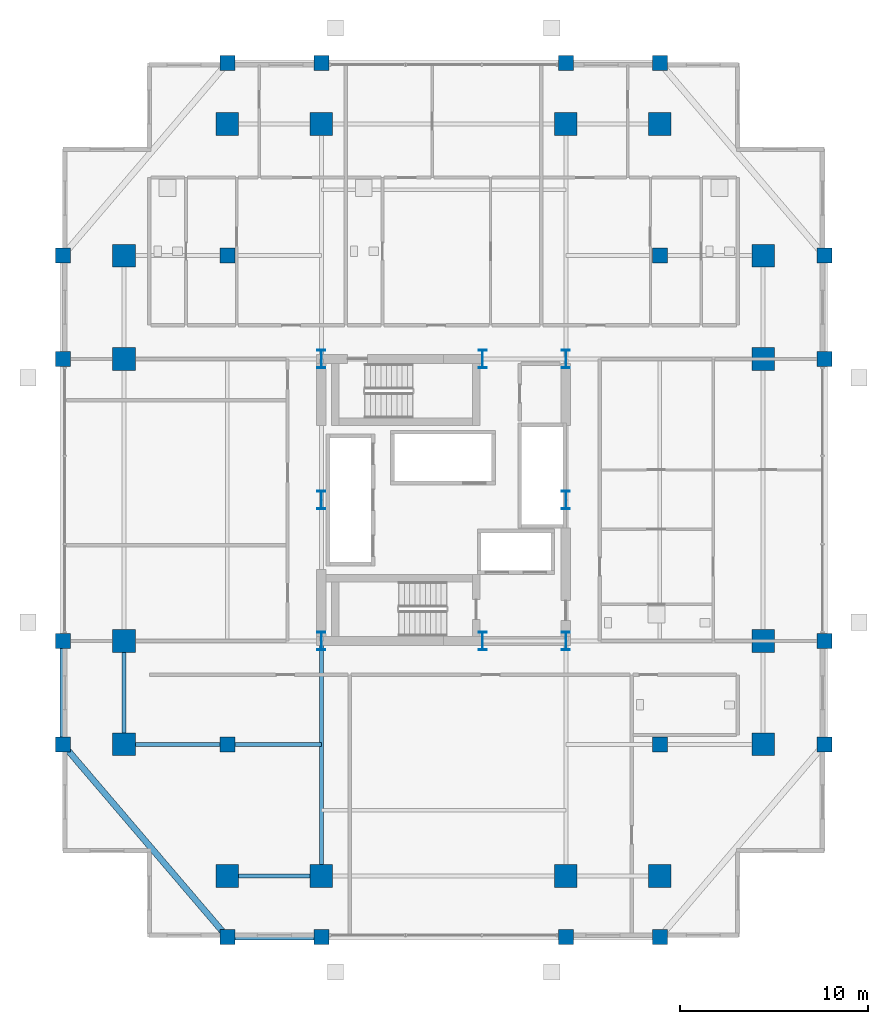
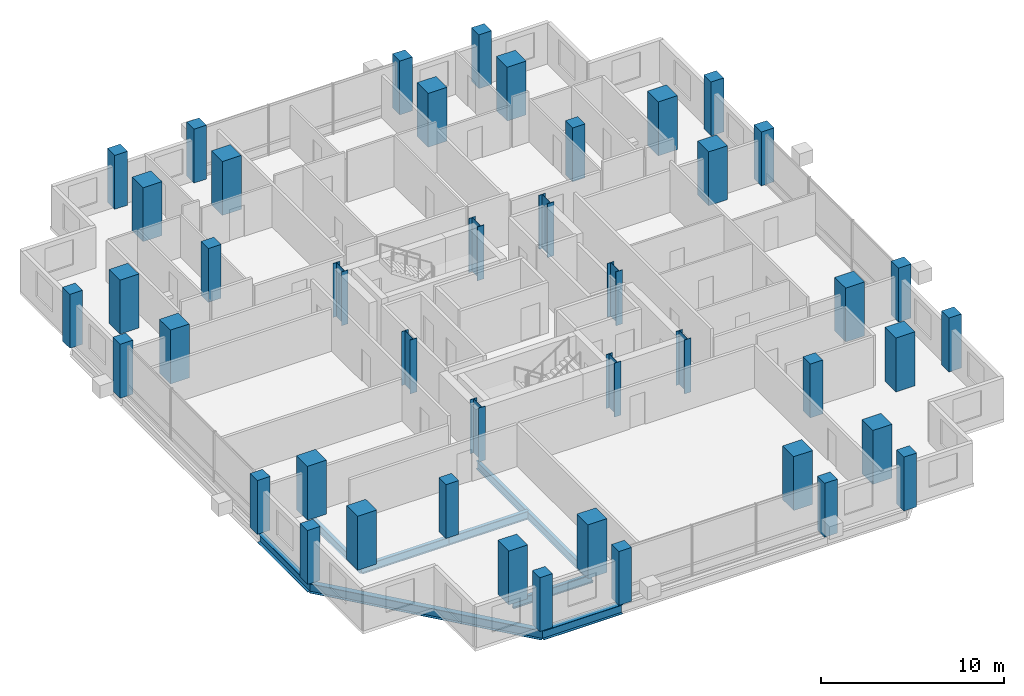
# One storey, part 1 of 19: 44 columns, 8 beams.
"""IFC4 building model written with IfcOpenShell, lengths in metres."""

import ifcopenshell
import ifcopenshell.guid

model = None  # the IFC model being written
_history = None  # IfcOwnerHistory: only IFC2X3 demands one
_inside = {}  # id of a spatial element -> (the spatial element, [elements in it])
_under = {}  # id of a project, library or spatial element -> (it, [spatial elements below it])
_declared = {}  # id of a project -> (the project, [libraries it declares])
_typed = {}  # id of a type object -> (the type object, [elements of that type])
_made_of = {}  # id of a material, layer set ... -> (it, [elements and type objects made of it])


def new_model(schema):
    """Start an empty IFC model of exactly this schema.

    Asked for "IFC4X3", IfcOpenShell would pick the latest addendum, in which some entities
    have other attributes; the version numbers below select the first issue.
    IFC2X3 requires an IfcOwnerHistory on every rooted entity: one is made here for all.
    """
    global model, _history
    if schema == "IFC4X3":
        model = ifcopenshell.file(schema_version=(4, 3, 0, 0))
    else:
        model = ifcopenshell.file(schema=schema)
    _inside.clear()
    _under.clear()
    _declared.clear()
    _typed.clear()
    _made_of.clear()
    _history = None
    if model.schema == "IFC2X3":
        org = make("IfcOrganization", Name="unknown")
        user = make(
            "IfcPersonAndOrganization",
            ThePerson=make("IfcPerson", FamilyName="unknown"),
            TheOrganization=org,
        )
        app = make(
            "IfcApplication",
            ApplicationDeveloper=org,
            Version="unknown",
            ApplicationFullName="unknown",
            ApplicationIdentifier="unknown",
        )
        _history = make(
            "IfcOwnerHistory",
            OwningUser=user,
            OwningApplication=app,
            ChangeAction="ADDED",
            CreationDate=0,
        )
    return model


def make(cls, **values):
    """One entity of the class cls with the attributes given. An attribute that is None is left unset."""
    return model.create_entity(
        cls, **{name: value for name, value in values.items() if value is not None}
    )


def rooted(cls, **values):
    """An entity with a GlobalId (a new one), such as an element, a storey or a relation."""
    return make(cls, GlobalId=ifcopenshell.guid.new(), OwnerHistory=_history, **values)


def si_unit(unit_type, name, prefix=None):
    """IfcSIUnit, for example si_unit("LENGTHUNIT", "METRE", prefix="MILLI")."""
    return make("IfcSIUnit", UnitType=unit_type, Prefix=prefix, Name=name)


def assignment(units):
    """IfcUnitAssignment: the units of a project."""
    return None if units is None else make("IfcUnitAssignment", Units=units)


def point(xyz):
    """IfcCartesianPoint."""
    return None if xyz is None else make("IfcCartesianPoint", Coordinates=xyz)


def direction(xyz):
    """IfcDirection."""
    return None if xyz is None else make("IfcDirection", DirectionRatios=xyz)


def frame(location, z_axis=None, x_axis=None):
    """IfcAxis2Placement3D, a coordinate frame: its origin and axes. An axis left out is left unset."""
    return make(
        "IfcAxis2Placement3D",
        Location=point(location),
        Axis=direction(z_axis),
        RefDirection=direction(x_axis),
    )


def frame_2d(location, x_axis=None):
    """IfcAxis2Placement2D, a coordinate frame in the plane: its origin and x axis."""
    return make(
        "IfcAxis2Placement2D", Location=point(location), RefDirection=direction(x_axis)
    )


def origin():
    """The frame at (0, 0, 0) with its axes left unset."""
    return frame((0.0, 0.0, 0.0))


def origin_2d():
    """The frame at (0, 0) in the plane with its x axis left unset."""
    return frame_2d((0.0, 0.0))


def place(relative_to, where):
    """IfcLocalPlacement: puts the frame where relative to a parent placement (None: the world)."""
    return make(
        "IfcLocalPlacement", PlacementRelTo=relative_to, RelativePlacement=where
    )


def context(
    kind, dimensions, precision=None, world=None, true_north=None, identifier=None
):
    """IfcGeometricRepresentationContext, for example the 3D "Model" context."""
    return make(
        "IfcGeometricRepresentationContext",
        ContextIdentifier=identifier,
        ContextType=kind,
        CoordinateSpaceDimension=dimensions,
        Precision=precision,
        WorldCoordinateSystem=world,
        TrueNorth=true_north,
    )


def subcontext(parent, identifier, kind, view, scale=None):
    """IfcGeometricRepresentationSubContext, for example "Body" below "Model"."""
    return make(
        "IfcGeometricRepresentationSubContext",
        ContextIdentifier=identifier,
        ContextType=kind,
        ParentContext=parent,
        TargetScale=scale,
        TargetView=view,
    )


def project(units=None, contexts=None):
    """IfcProject with its units and contexts."""
    return rooted(
        "IfcProject",
        Name="project",
        RepresentationContexts=contexts,
        UnitsInContext=assignment(units),
    )


def spatial(cls, under=None, at=None, **own):
    """A site, building, storey or space (cls), placed at a placement, below another one or the project."""
    s = rooted(cls, ObjectPlacement=at, **own)
    if under is not None:
        _under.setdefault(under.id(), (under, []))[1].append(s)
    return s


def profile(cls, at=None, kind="AREA", **sizes):
    """A parametric profile (cls). Its sizes go by their IFC names, for example OverallWidth=200.0."""
    return make(cls, ProfileType=kind, Position=at, **sizes)


def rectangle(**sizes):
    """IfcRectangleProfileDef."""
    return profile("IfcRectangleProfileDef", **sizes)


def i_section(**sizes):
    """IfcIShapeProfileDef."""
    return profile("IfcIShapeProfileDef", **sizes)


def extrude(swept, where, along, depth):
    """IfcExtrudedAreaSolid: the profile swept, set in the frame where, extruded along a direction by depth."""
    return make(
        "IfcExtrudedAreaSolid",
        SweptArea=swept,
        Position=where,
        ExtrudedDirection=direction(along),
        Depth=depth,
    )


def shape(context_of_items, identifier, shape_type, items):
    """IfcShapeRepresentation: the items that make up one representation, for example the "Body"."""
    return make(
        "IfcShapeRepresentation",
        ContextOfItems=context_of_items,
        RepresentationIdentifier=identifier,
        RepresentationType=shape_type,
        Items=items,
    )


def material(Name=None, Category=None):
    """IfcMaterial."""
    return make("IfcMaterial", Name=Name, Category=Category)


def material_profile(
    of_material, cross_section, Name=None, Category=None, Priority=None
):
    """IfcMaterialProfile: a cross section and its material."""
    return make(
        "IfcMaterialProfile",
        Name=Name,
        Material=of_material,
        Profile=cross_section,
        Priority=Priority,
        Category=Category,
    )


def profile_set(profiles, Name=None, composite=None):
    """IfcMaterialProfileSet."""
    return make(
        "IfcMaterialProfileSet",
        Name=Name,
        MaterialProfiles=profiles,
        CompositeProfile=composite,
    )


def made_of(thing, what):
    """Note that an element or type object is made of a material, layer set ...; save() writes the relation."""
    if what is not None:
        _made_of.setdefault(what.id(), (what, []))[1].append(thing)
    return thing


def type_object(cls, material=None, **own):
    """A type object (cls), such as IfcWallType, which elements share."""
    return made_of(rooted(cls, **own), material)


def element(
    cls,
    number,
    at=None,
    inside=None,
    cuts=None,
    type_object=None,
    material=None,
    context=None,
    identifier="Body",
    shape_type=None,
    held_by="IfcProductDefinitionShape",
    body=None,
    shapes=None,
    **own,
):
    """One element of the class cls, such as IfcWall. Its Tag is "e" and its number.

    at: its placement. inside: the storey or other place that contains it. cuts: it is an
    opening in that element (IfcRelVoidsElement). A single representation is given by context,
    identifier, shape_type and body (its items); several are given by shapes. held_by: the class
    of the entity that holds the representations. save() writes the other relations.
    """
    e = rooted(cls, Tag="e%d" % number, ObjectPlacement=at, **own)
    if body is not None:
        shapes = [shape(context, identifier, shape_type, body)]
    if shapes is not None:
        e.Representation = make(held_by, Representations=shapes)
    if inside is not None:
        _inside.setdefault(inside.id(), (inside, []))[1].append(e)
    if cuts is not None:
        rooted(
            "IfcRelVoidsElement", RelatingBuildingElement=cuts, RelatedOpeningElement=e
        )
    if type_object is not None:
        _typed.setdefault(type_object.id(), (type_object, []))[1].append(e)
    return made_of(e, material)


def aggregate(whole, parts):
    """IfcRelAggregates: a whole, such as a stair, and the parts it consists of."""
    return rooted("IfcRelAggregates", RelatingObject=whole, RelatedObjects=parts)


def save(model, path):
    """Write the relations noted so far, then the file.

    IfcRelAggregates (storeys below a building ...), IfcRelContainedInSpatialStructure (elements
    in a storey), IfcRelDefinesByType, IfcRelAssociatesMaterial and IfcRelDeclares: one each for
    every whole, place, type object, material and project.
    """
    for whole, parts in _under.values():
        aggregate(whole, parts)
    for where, things in _inside.values():
        rooted(
            "IfcRelContainedInSpatialStructure",
            RelatedElements=things,
            RelatingStructure=where,
        )
    for kind, things in _typed.values():
        rooted("IfcRelDefinesByType", RelatedObjects=things, RelatingType=kind)
    for what, things in _made_of.values():
        rooted("IfcRelAssociatesMaterial", RelatedObjects=things, RelatingMaterial=what)
    for by, libraries in _declared.values():
        rooted("IfcRelDeclares", RelatingContext=by, RelatedDefinitions=libraries)
    model.write(path)


model = new_model("IFC4")

# Units and contexts
model_context = context("Model", 3, precision=1e-05, world=origin(), true_north=direction((0.0, 1.0)))
body_context = subcontext(model_context, "Body", "Model", "MODEL_VIEW")
ifc_project = project(units=[si_unit("LENGTHUNIT", "METRE"), si_unit("AREAUNIT", "SQUARE_METRE"), si_unit("VOLUMEUNIT", "CUBIC_METRE"), si_unit("PLANEANGLEUNIT", "RADIAN"), si_unit("MASSUNIT", "GRAM", prefix="KILO")], contexts=[model_context])

# Site, building, storey
site_placement = place(None, origin())
site = spatial("IfcSite", under=ifc_project, at=site_placement, CompositionType="ELEMENT")
building_placement = place(site_placement, origin())
building = spatial("IfcBuilding", under=site, at=building_placement, Name="Barlavira Tower and Art Museum", CompositionType="ELEMENT")
storey_placement = place(building_placement, frame((0.0, 0.0, 113.39990234375)))
storey = spatial("IfcBuildingStorey", under=building, at=storey_placement, Name="L28", CompositionType="ELEMENT", Elevation=113.39990234375)

# Columns
ifc_material_1 = material(Name="Steel S355", Category="steel")
ifc_material_profile_1 = material_profile(ifc_material_1, i_section(OverallWidth=0.419921875, OverallDepth=0.9599609375, WebThickness=0.02197265625, FlangeThickness=0.033935546875, at=origin_2d()), Name="W920x387.0")
ifc_profile_set_1 = profile_set([ifc_material_profile_1], Name="Steel S355")
column_type_1 = type_object("IfcColumnType", Name="Core Composite Column W920x387 Steel S355", PredefinedType="COLUMN", material=ifc_profile_set_1)
for number, where, z_axis, x_axis, name in (
    (1, (-6.5, -7.5, 0.0), (0.0, 0.0, 1.0), (1.0, 0.0, 0.0), "L28 Column CC-L28-C1"),
    (2, (2.080078125, -7.5, 0.0), (0.0, 0.0, 1.0), (1.0, 0.0, 0.0), "L28 Column CC-L28-C2"),
    (3, (6.5, -7.5, 0.0), (0.0, 0.0, 1.0), (1.0, 0.0, 0.0), "L28 Column CC-L28-C3"),
    (4, (-6.5, 0.0, 0.0), (0.0, 0.0, 1.0), (1.0, 0.0, 0.0), "L28 Column CC-L28-C4"),
    (5, (6.5, 0.0, 0.0), (0.0, 0.0, 1.0), (1.0, 0.0, 0.0), "L28 Column CC-L28-C5"),
    (6, (-6.5, 7.5, 0.0), (0.0, 0.0, 1.0), (1.0, 0.0, 0.0), "L28 Column CC-L28-C6"),
    (7, (2.080078125, 7.5, 0.0), (0.0, 0.0, 1.0), (1.0, 0.0, 0.0), "L28 Column CC-L28-C7"),
    (8, (6.5, 7.5, 0.0), (0.0, 0.0, 1.0), (1.0, 0.0, 0.0), "L28 Column CC-L28-C8"),
):
    element("IfcColumn", number, at=place(storey_placement, frame(where, z_axis=z_axis, x_axis=x_axis)), inside=storey, type_object=column_type_1, Name=name, PredefinedType="COLUMN", context=body_context, shape_type="SweptSolid", body=[
        extrude(i_section(OverallWidth=0.419921875, OverallDepth=0.9599609375, WebThickness=0.02197265625, FlangeThickness=0.033935546875, at=origin_2d()), origin(), (0.0, 0.0, 1.0), 3.60009765625),
    ])
ifc_material_2 = material(Name="Concrete C60", Category="concrete")
ifc_material_profile_2 = material_profile(ifc_material_2, rectangle(XDim=1.199951171875, YDim=1.199951171875, at=origin_2d()), Name="RC-COL 1200x1200")
ifc_profile_set_2 = profile_set([ifc_material_profile_2], Name="Concrete C60")
column_type_2 = type_object("IfcColumnType", Name="Perimeter Mega Column 1200x1200 Concrete C60", PredefinedType="USERDEFINED", material=ifc_profile_set_2)
for number, where, z_axis, x_axis, name in (
    (9, (-11.5, -20.0, 0.0), (0.0, 0.0, 1.0), (1.0, 0.0, 0.0), "L28 Column MC-L28-M01"),
    (10, (-6.5, -20.0, 0.0), (0.0, 0.0, 1.0), (1.0, 0.0, 0.0), "L28 Column MC-L28-M02"),
    (11, (6.5, -20.0, 0.0), (0.0, 0.0, 1.0), (1.0, 0.0, 0.0), "L28 Column MC-L28-M03"),
    (12, (11.5, -20.0, 0.0), (0.0, 0.0, 1.0), (1.0, 0.0, 0.0), "L28 Column MC-L28-M04"),
    (13, (17.0, -13.0, 0.0), (0.0, 0.0, 1.0), (1.0, 0.0, 0.0), "L28 Column MC-L28-M05"),
    (14, (17.0, -7.5, 0.0), (0.0, 0.0, 1.0), (1.0, 0.0, 0.0), "L28 Column MC-L28-M06"),
    (15, (17.0, 7.5, 0.0), (0.0, 0.0, 1.0), (1.0, 0.0, 0.0), "L28 Column MC-L28-M07"),
    (16, (17.0, 13.0, 0.0), (0.0, 0.0, 1.0), (1.0, 0.0, 0.0), "L28 Column MC-L28-M08"),
    (17, (11.5, 20.0, 0.0), (0.0, 0.0, 1.0), (1.0, 0.0, 0.0), "L28 Column MC-L28-M09"),
    (18, (6.5, 20.0, 0.0), (0.0, 0.0, 1.0), (1.0, 0.0, 0.0), "L28 Column MC-L28-M10"),
    (19, (-6.5, 20.0, 0.0), (0.0, 0.0, 1.0), (1.0, 0.0, 0.0), "L28 Column MC-L28-M11"),
    (20, (-11.5, 20.0, 0.0), (0.0, 0.0, 1.0), (1.0, 0.0, 0.0), "L28 Column MC-L28-M12"),
    (21, (-17.0, 13.0, 0.0), (0.0, 0.0, 1.0), (1.0, 0.0, 0.0), "L28 Column MC-L28-M13"),
    (22, (-17.0, 7.5, 0.0), (0.0, 0.0, 1.0), (1.0, 0.0, 0.0), "L28 Column MC-L28-M14"),
    (23, (-17.0, -7.5, 0.0), (0.0, 0.0, 1.0), (1.0, 0.0, 0.0), "L28 Column MC-L28-M15"),
    (24, (-17.0, -13.0, 0.0), (0.0, 0.0, 1.0), (1.0, 0.0, 0.0), "L28 Column MC-L28-M16"),
):
    element("IfcColumn", number, at=place(storey_placement, frame(where, z_axis=z_axis, x_axis=x_axis)), inside=storey, type_object=column_type_2, Name=name, ObjectType="MEGA COLUMN", PredefinedType="USERDEFINED", context=body_context, shape_type="SweptSolid", body=[
        extrude(rectangle(XDim=1.199951171875, YDim=1.199951171875, at=origin_2d()), origin(), (0.0, 0.0, 1.0), 3.60009765625),
    ])
ifc_material_3 = material(Name="Concrete C50", Category="concrete")
ifc_material_profile_3 = material_profile(ifc_material_3, rectangle(XDim=0.800048828125, YDim=0.800048828125, at=origin_2d()), Name="RC-COL 800x800")
ifc_profile_set_3 = profile_set([ifc_material_profile_3], Name="Concrete C50")
column_type_3 = type_object("IfcColumnType", Name="Podium Frame Column 800x800 Concrete C50", PredefinedType="COLUMN", material=ifc_profile_set_3)
for number, where, z_axis, x_axis, name in (
    (25, (-11.5, -13.0, 0.0), (0.0, 0.0, 1.0), (1.0, 0.0, 0.0), "L28 Column CI-L28-I1"),
    (26, (11.5, -13.0, 0.0), (0.0, 0.0, 1.0), (1.0, 0.0, 0.0), "L28 Column CI-L28-I2"),
    (27, (-11.5, 13.0, 0.0), (0.0, 0.0, 1.0), (1.0, 0.0, 0.0), "L28 Column CI-L28-I3"),
    (28, (11.5, 13.0, 0.0), (0.0, 0.0, 1.0), (1.0, 0.0, 0.0), "L28 Column CI-L28-I4"),
    (29, (-11.5, -23.25, 0.0), (0.0, 0.0, 1.0), (1.0, 0.0, 0.0), "L28 Column CZ2-L28-N01"),
    (30, (-6.5, -23.25, 0.0), (0.0, 0.0, 1.0), (1.0, 0.0, 0.0), "L28 Column CZ2-L28-N02"),
    (31, (6.5, -23.25, 0.0), (0.0, 0.0, 1.0), (1.0, 0.0, 0.0), "L28 Column CZ2-L28-N02B"),
    (32, (11.5, -23.25, 0.0), (0.0, 0.0, 1.0), (1.0, 0.0, 0.0), "L28 Column CZ2-L28-N03"),
    (33, (-20.25, -13.0, 0.0), (0.0, 0.0, 1.0), (1.0, 0.0, 0.0), "L28 Column CZ2-L28-N04"),
    (34, (-20.25, -7.5, 0.0), (0.0, 0.0, 1.0), (1.0, 0.0, 0.0), "L28 Column CZ2-L28-N05"),
    (35, (-20.25, 7.5, 0.0), (0.0, 0.0, 1.0), (1.0, 0.0, 0.0), "L28 Column CZ2-L28-N05B"),
    (36, (-20.25, 13.0, 0.0), (0.0, 0.0, 1.0), (1.0, 0.0, 0.0), "L28 Column CZ2-L28-N06"),
    (37, (-11.5, 23.25, 0.0), (0.0, 0.0, 1.0), (1.0, 0.0, 0.0), "L28 Column CZ2-L28-N07"),
    (38, (-6.5, 23.25, 0.0), (0.0, 0.0, 1.0), (1.0, 0.0, 0.0), "L28 Column CZ2-L28-N08"),
    (39, (6.5, 23.25, 0.0), (0.0, 0.0, 1.0), (1.0, 0.0, 0.0), "L28 Column CZ2-L28-N08B"),
    (40, (11.5, 23.25, 0.0), (0.0, 0.0, 1.0), (1.0, 0.0, 0.0), "L28 Column CZ2-L28-N09"),
    (41, (20.25, -13.0, 0.0), (0.0, 0.0, 1.0), (1.0, 0.0, 0.0), "L28 Column CZ2-L28-N10"),
    (42, (20.25, -7.5, 0.0), (0.0, 0.0, 1.0), (1.0, 0.0, 0.0), "L28 Column CZ2-L28-N11"),
    (43, (20.25, 7.5, 0.0), (0.0, 0.0, 1.0), (1.0, 0.0, 0.0), "L28 Column CZ2-L28-N11B"),
    (44, (20.25, 13.0, 0.0), (0.0, 0.0, 1.0), (1.0, 0.0, 0.0), "L28 Column CZ2-L28-N12"),
):
    element("IfcColumn", number, at=place(storey_placement, frame(where, z_axis=z_axis, x_axis=x_axis)), inside=storey, type_object=column_type_3, Name=name, PredefinedType="COLUMN", context=body_context, shape_type="SweptSolid", body=[
        extrude(rectangle(XDim=0.800048828125, YDim=0.800048828125, at=origin_2d()), origin(), (0.0, 0.0, 1.0), 3.60009765625),
    ])

# Beams
ifc_material_profile_4 = material_profile(ifc_material_1, i_section(OverallWidth=0.327880859375, OverallDepth=0.62890625, WebThickness=0.013916015625, FlangeThickness=0.021484375, at=origin_2d()), Name="W610x174.0")
ifc_profile_set_4 = profile_set([ifc_material_profile_4], Name="Steel S355")
beam_type_1 = type_object("IfcBeamType", Name="Perimeter Spandrel Edge Beam W610x174 Steel S355", PredefinedType="SPANDREL", material=ifc_profile_set_4)
beam_1_placement = place(storey_placement, frame((-11.5, -23.25, -0.534423828125), z_axis=(1.0, 0.0, 0.0), x_axis=(0.0, 1.0, 0.0)))
element("IfcBeam", 45, at=beam_1_placement, inside=storey, type_object=beam_type_1, Name="L28 Spandrel 1", PredefinedType="SPANDREL", context=body_context, shape_type="SweptSolid", body=[
    extrude(i_section(OverallWidth=0.327880859375, OverallDepth=0.62890625, WebThickness=0.013916015625, FlangeThickness=0.021484375, at=origin_2d()), origin(), (0.0, 0.0, 1.0), 5.0),
])
beam_2_placement = place(storey_placement, frame((-20.25, -13.0, -0.534423828125), z_axis=(0.0, 1.0, 0.0), x_axis=(-1.0, 0.0, 0.0)))
element("IfcBeam", 46, at=beam_2_placement, inside=storey, type_object=beam_type_1, Name="L28 Spandrel 15", PredefinedType="SPANDREL", context=body_context, shape_type="SweptSolid", body=[
    extrude(i_section(OverallWidth=0.327880859375, OverallDepth=0.62890625, WebThickness=0.013916015625, FlangeThickness=0.021484375, at=origin_2d()), origin(), (0.0, 0.0, 1.0), 5.5),
])
beam_3_placement = place(storey_placement, frame((-20.25, -13.0, -0.534423828125), z_axis=(0.649262379928, -0.760564502202, 0.0), x_axis=(0.760564502202, 0.649262379928, 0.0)))
element("IfcBeam", 47, at=beam_3_placement, inside=storey, type_object=beam_type_1, Name="L28 Spandrel 16", PredefinedType="SPANDREL", context=body_context, shape_type="SweptSolid", body=[
    extrude(i_section(OverallWidth=0.327880859375, OverallDepth=0.62890625, WebThickness=0.013916015625, FlangeThickness=0.021484375, at=origin_2d()), origin(), (0.0, 0.0, 1.0), 13.476806640625),
])
ifc_material_profile_5 = material_profile(ifc_material_1, i_section(OverallWidth=0.214111328125, OverallDepth=0.549072265625, WebThickness=0.0146484375, FlangeThickness=0.023681640625, at=origin_2d()), Name="W530x138.0")
ifc_profile_set_5 = profile_set([ifc_material_profile_5], Name="Steel S355")
beam_type_2 = type_object("IfcBeamType", Name="Zone 1 Primary Floor Girder W530x138 Steel S355", PredefinedType="BEAM", material=ifc_profile_set_5)
beam_4_placement = place(storey_placement, frame((-11.5, -20.0, -0.494384765625), z_axis=(1.0, 0.0, 0.0), x_axis=(0.0, 1.0, 0.0)))
element("IfcBeam", 48, at=beam_4_placement, inside=storey, type_object=beam_type_2, Name="L28 Girder M-S1", PredefinedType="BEAM", context=body_context, shape_type="SweptSolid", body=[
    extrude(i_section(OverallWidth=0.214111328125, OverallDepth=0.549072265625, WebThickness=0.0146484375, FlangeThickness=0.023681640625, at=origin_2d()), origin(), (0.0, 0.0, 1.0), 5.0),
])
beam_5_placement = place(storey_placement, frame((-17.0, -13.0, -0.494384765625), z_axis=(0.0, 1.0, 0.0), x_axis=(-1.0, 0.0, 0.0)))
element("IfcBeam", 49, at=beam_5_placement, inside=storey, type_object=beam_type_2, Name="L28 Girder M-W1", PredefinedType="BEAM", context=body_context, shape_type="SweptSolid", body=[
    extrude(i_section(OverallWidth=0.214111328125, OverallDepth=0.549072265625, WebThickness=0.0146484375, FlangeThickness=0.023681640625, at=origin_2d()), origin(), (0.0, 0.0, 1.0), 5.5),
])
beam_6_placement = place(storey_placement, frame((-6.5, -20.0, -0.494384765625), z_axis=(0.0, 1.0, 0.0), x_axis=(-1.0, 0.0, 0.0)))
element("IfcBeam", 50, at=beam_6_placement, inside=storey, type_object=beam_type_2, Name="L28 Girder R-S1", PredefinedType="BEAM", context=body_context, shape_type="SweptSolid", body=[
    extrude(i_section(OverallWidth=0.214111328125, OverallDepth=0.549072265625, WebThickness=0.0146484375, FlangeThickness=0.023681640625, at=origin_2d()), origin(), (0.0, 0.0, 1.0), 12.5),
])
beam_7_placement = place(storey_placement, frame((-17.0, -13.0, -0.494384765625), z_axis=(1.0, 0.0, 0.0), x_axis=(0.0, 1.0, 0.0)))
element("IfcBeam", 51, at=beam_7_placement, inside=storey, type_object=beam_type_2, Name="L28 Girder I-S1", PredefinedType="BEAM", context=body_context, shape_type="SweptSolid", body=[
    extrude(i_section(OverallWidth=0.214111328125, OverallDepth=0.549072265625, WebThickness=0.0146484375, FlangeThickness=0.023681640625, at=origin_2d()), origin(), (0.0, 0.0, 1.0), 5.5),
])
beam_8_placement = place(storey_placement, frame((-11.5, -13.0, -0.494384765625), z_axis=(1.0, 0.0, 0.0), x_axis=(0.0, 1.0, 0.0)))
element("IfcBeam", 52, at=beam_8_placement, inside=storey, type_object=beam_type_2, Name="L28 Girder I-S2", PredefinedType="BEAM", context=body_context, shape_type="SweptSolid", body=[
    extrude(i_section(OverallWidth=0.214111328125, OverallDepth=0.549072265625, WebThickness=0.0146484375, FlangeThickness=0.023681640625, at=origin_2d()), origin(), (0.0, 0.0, 1.0), 5.0),
])

save(model, "model.ifc")
